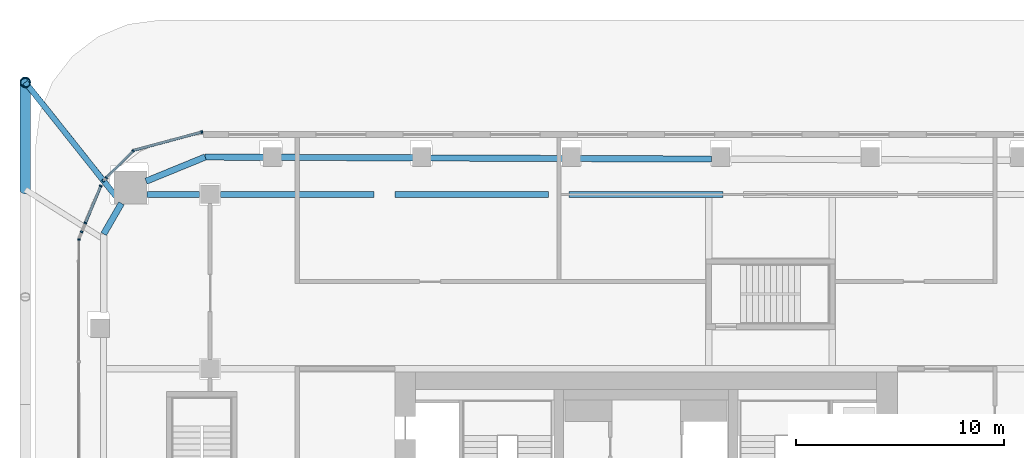
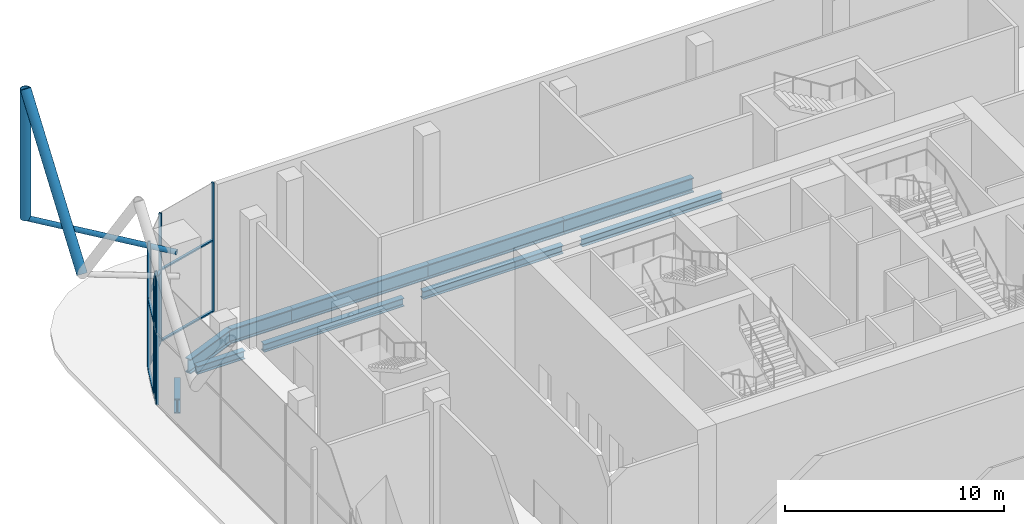
# One storey, part 10 of 34: 17 members, 10 beams, 7 elements without a shape of their own.
"""IFC4 building model written with IfcOpenShell, lengths in metres."""

from ifc_helpers import new_model, si_unit, direction, frame, origin, origin_2d, place, context, subcontext, project, spatial, rectangle, hollow_circle, i_section, extrude, material, layer, layer_set, material_profile, profile_set, type_object, element, aggregate, save


model = new_model("IFC4")

# Units and contexts
model_context = context("Model", 3, precision=1e-05, world=origin(), true_north=direction((0.0, 1.0)))
body_context = subcontext(model_context, "Body", "Model", "MODEL_VIEW")
ifc_project = project(units=[si_unit("LENGTHUNIT", "METRE"), si_unit("AREAUNIT", "SQUARE_METRE"), si_unit("VOLUMEUNIT", "CUBIC_METRE"), si_unit("PLANEANGLEUNIT", "RADIAN"), si_unit("MASSUNIT", "GRAM", prefix="KILO")], contexts=[model_context])

# Site, building, storey
site_placement = place(None, origin())
site = spatial("IfcSite", under=ifc_project, at=site_placement, CompositionType="ELEMENT")
building_placement = place(site_placement, origin())
building = spatial("IfcBuilding", under=site, at=building_placement, Name="Marenta Gate Hotel Tower", CompositionType="ELEMENT")
storey_placement = place(building_placement, frame((0.0, 0.0, 97.699951171875)))
storey = spatial("IfcBuildingStorey", under=building, at=storey_placement, Name="L21", CompositionType="ELEMENT", Elevation=97.699951171875)

# Members
ifc_material_1 = material(Name="Steel S355J2W", Category="steel")
ifc_material_profile_1 = material_profile(ifc_material_1, hollow_circle(Radius=0.25390625, WallThickness=0.02490234375, at=origin_2d()), Name="CHS 508x25")
ifc_profile_set_1 = profile_set([ifc_material_profile_1], Name="Steel S355J2W")
member_type_1 = type_object("IfcMemberType", Name="Diagrid corner post Z2 CHS 508x25", PredefinedType="POST", material=ifc_profile_set_1)
member_1_placement = place(storey_placement, frame((-29.89990234375, 30.60009765625, 6.739990234375), z_axis=(0.0, 0.0, 1.0), x_axis=(1.0, 0.0, 0.0)))
element("IfcMember", 1, at=member_1_placement, inside=storey, type_object=member_type_1, Name="L21-DR-6", PredefinedType="POST", context=body_context, shape_type="SweptSolid", body=[
    extrude(hollow_circle(Radius=0.25390625, WallThickness=0.02490234375, at=origin_2d()), origin(), (0.0, 0.0, 1.0), 7.199951171875),
])
ifc_material_2 = material(Name="Steel S355J2W", Category="steel")
ifc_material_profile_2 = material_profile(ifc_material_2, hollow_circle(Radius=0.25390625, WallThickness=0.0400390625, at=origin_2d()), Name="CHS 508x40")
ifc_profile_set_2 = profile_set([ifc_material_profile_2], Name="Steel S355J2W")
member_type_2 = type_object("IfcMemberType", Name="Diagrid diagonal Z2 CHS 508x40", PredefinedType="BRACE", material=ifc_profile_set_2)
member_2_placement = place(storey_placement, frame((-29.89990234375, 25.429931640625, 6.739990234375), z_axis=(0.0, 0.583279014058, 0.812271870595), x_axis=(-1.0, 0.0, 0.0)))
element("IfcMember", 2, at=member_2_placement, inside=storey, type_object=member_type_2, Name="L21-DG-34", PredefinedType="BRACE", context=body_context, shape_type="SweptSolid", body=[
    extrude(hollow_circle(Radius=0.25390625, WallThickness=0.0400390625, at=origin_2d()), origin(), (0.0, 0.0, 1.0), 8.864013671875),
])

# Beams
ifc_material_3 = material(Name="Steel S355", Category="steel")
ifc_material_profile_3 = material_profile(ifc_material_3, i_section(OverallWidth=0.302978515625, OverallDepth=0.81396484375, WebThickness=0.030029296875, FlangeThickness=0.052001953125, FilletRadius=0.030029296875, at=origin_2d()), Name="HEM 800")
ifc_profile_set_3 = profile_set([ifc_material_profile_3], Name="Steel S355")
beam_type_1 = type_object("IfcBeamType", Name="Edge beam HEM 800", PredefinedType="SPANDREL", material=ifc_profile_set_3)
beam_1_placement = place(storey_placement, frame((-26.121337890625, 23.291748046875, -0.6669921875), z_axis=(0.500015459501, 0.866016478054, 0.0), x_axis=(-0.866016478054, 0.500015459501, 0.0)))
element("IfcBeam", 3, at=beam_1_placement, inside=storey, type_object=beam_type_1, Name="L21-EB-10", PredefinedType="SPANDREL", context=body_context, shape_type="SweptSolid", body=[
    extrude(i_section(OverallWidth=0.302978515625, OverallDepth=0.81396484375, WebThickness=0.030029296875, FlangeThickness=0.052001953125, FilletRadius=0.030029296875, at=origin_2d()), origin(), (0.0, 0.0, 1.0), 1.70703125),
])
beam_2_placement = place(storey_placement, frame((-24.080810546875, 25.835693359375, -0.6669921875), z_axis=(0.925563394594, 0.378592660504, 0.0), x_axis=(-0.378592660504, 0.925563394594, 0.0)))
element("IfcBeam", 4, at=beam_2_placement, inside=storey, type_object=beam_type_1, Name="L21-EB-11", PredefinedType="SPANDREL", context=body_context, shape_type="SweptSolid", body=[
    extrude(i_section(OverallWidth=0.302978515625, OverallDepth=0.81396484375, WebThickness=0.030029296875, FlangeThickness=0.052001953125, FilletRadius=0.030029296875, at=origin_2d()), origin(), (0.0, 0.0, 1.0), 3.075439453125),
])
beam_3_placement = place(storey_placement, frame((-21.234375, 27.0, -0.6669921875), z_axis=(0.999991555325, -0.004109656695, 0.0), x_axis=(0.004109656695, 0.999991555325, 0.0)))
element("IfcBeam", 5, at=beam_3_placement, inside=storey, type_object=beam_type_1, Name="L21-EB-12", PredefinedType="SPANDREL", context=body_context, shape_type="SweptSolid", body=[
    extrude(i_section(OverallWidth=0.302978515625, OverallDepth=0.81396484375, WebThickness=0.030029296875, FlangeThickness=0.052001953125, FilletRadius=0.030029296875, at=origin_2d()), origin(), (0.0, 0.0, 1.0), 3.267333984375),
])
beam_4_placement = place(storey_placement, frame((-18.046875, 26.987060546875, -0.6669921875), z_axis=(0.999991636699, -0.004089808236, 0.0), x_axis=(0.004089808236, 0.999991636699, 0.0)))
element("IfcBeam", 6, at=beam_4_placement, inside=storey, type_object=beam_type_1, Name="L21-EB-13", PredefinedType="SPANDREL", context=body_context, shape_type="SweptSolid", body=[
    extrude(i_section(OverallWidth=0.302978515625, OverallDepth=0.81396484375, WebThickness=0.030029296875, FlangeThickness=0.052001953125, FilletRadius=0.030029296875, at=origin_2d()), origin(), (0.0, 0.0, 1.0), 7.28271484375),
])
beam_5_placement = place(storey_placement, frame((-10.84423828125, 26.957763671875, -0.6669921875), z_axis=(0.999991636139, -0.004089945342, 0.0), x_axis=(0.004089945342, 0.999991636139, 0.0)))
element("IfcBeam", 7, at=beam_5_placement, inside=storey, type_object=beam_type_1, Name="L21-EB-14", PredefinedType="SPANDREL", context=body_context, shape_type="SweptSolid", body=[
    extrude(i_section(OverallWidth=0.302978515625, OverallDepth=0.81396484375, WebThickness=0.030029296875, FlangeThickness=0.052001953125, FilletRadius=0.030029296875, at=origin_2d()), origin(), (0.0, 0.0, 1.0), 7.282470703125),
])
beam_6_placement = place(storey_placement, frame((-3.6416015625, 26.92822265625, -0.6669921875), z_axis=(0.999991766875, -0.004057854335, 0.0), x_axis=(0.004057854335, 0.999991766875, 0.0)))
element("IfcBeam", 8, at=beam_6_placement, inside=storey, type_object=beam_type_1, Name="L21-EB-15", PredefinedType="SPANDREL", context=body_context, shape_type="SweptSolid", body=[
    extrude(i_section(OverallWidth=0.302978515625, OverallDepth=0.81396484375, WebThickness=0.030029296875, FlangeThickness=0.052001953125, FilletRadius=0.030029296875, at=origin_2d()), origin(), (0.0, 0.0, 1.0), 6.798583984375),
])

# Member
ifc_material_4 = material(Name="Steel S355J2W", Category="steel")
ifc_material_profile_4 = material_profile(ifc_material_4, hollow_circle(Radius=0.136474609375, WallThickness=0.012451171875, at=origin_2d()), Name="CHS 273x12.5")
ifc_profile_set_4 = profile_set([ifc_material_profile_4], Name="Steel S355J2W")
member_type_3 = type_object("IfcMemberType", Name="Floor tie CHS 273x12.5", PredefinedType="STRUT", material=ifc_profile_set_4)
member_3_placement = place(storey_placement, frame((-29.89990234375, 30.60009765625, 6.739990234375), z_axis=(0.622094046149, -0.782942525187, 0.0), x_axis=(0.782942525187, 0.622094046149, 0.0)))
element("IfcMember", 9, at=member_3_placement, inside=storey, type_object=member_type_3, Name="L21-DR-22", PredefinedType="STRUT", context=body_context, shape_type="SweptSolid", body=[
    extrude(hollow_circle(Radius=0.136474609375, WallThickness=0.012451171875, at=origin_2d()), origin(), (0.0, 0.0, 1.0), 7.43896484375),
])

# Beams
ifc_material_5 = material(Name="Steel S355", Category="steel")
ifc_material_profile_5 = material_profile(ifc_material_5, i_section(OverallWidth=0.300048828125, OverallDepth=0.449951171875, WebThickness=0.013916015625, FlangeThickness=0.02587890625, FilletRadius=0.027099609375, at=origin_2d()), Name="HEB 450")
ifc_profile_set_5 = profile_set([ifc_material_profile_5], Name="Steel S355")
beam_type_2 = type_object("IfcBeamType", Name="Girder HEB 450", PredefinedType="BEAM", material=ifc_profile_set_5)
beam_7_placement = place(storey_placement, frame((-24.035400390625, 25.199951171875, -0.48486328125), z_axis=(1.0, 0.0, 0.0), x_axis=(0.0, 1.0, 0.0)))
element("IfcBeam", 10, at=beam_7_placement, inside=storey, type_object=beam_type_2, Name="L21-GD-32", PredefinedType="BEAM", context=body_context, shape_type="SweptSolid", body=[
    extrude(i_section(OverallWidth=0.300048828125, OverallDepth=0.449951171875, WebThickness=0.013916015625, FlangeThickness=0.02587890625, FilletRadius=0.027099609375, at=origin_2d()), origin(), (0.0, 0.0, 1.0), 2.535400390625),
])
beam_8_placement = place(storey_placement, frame((-20.5, 25.199951171875, -0.48486328125), z_axis=(1.0, 0.0, 0.0), x_axis=(0.0, 1.0, 0.0)))
element("IfcBeam", 11, at=beam_8_placement, inside=storey, type_object=beam_type_2, Name="L21-GD-33", PredefinedType="BEAM", context=body_context, shape_type="SweptSolid", body=[
    extrude(i_section(OverallWidth=0.300048828125, OverallDepth=0.449951171875, WebThickness=0.013916015625, FlangeThickness=0.02587890625, FilletRadius=0.027099609375, at=origin_2d()), origin(), (0.0, 0.0, 1.0), 7.39990234375),
])
beam_9_placement = place(storey_placement, frame((-12.10009765625, 25.199951171875, -0.48486328125), z_axis=(1.0, 0.0, 0.0), x_axis=(0.0, 1.0, 0.0)))
element("IfcBeam", 12, at=beam_9_placement, inside=storey, type_object=beam_type_2, Name="L21-GD-34", PredefinedType="BEAM", context=body_context, shape_type="SweptSolid", body=[
    extrude(i_section(OverallWidth=0.300048828125, OverallDepth=0.449951171875, WebThickness=0.013916015625, FlangeThickness=0.02587890625, FilletRadius=0.027099609375, at=origin_2d()), origin(), (0.0, 0.0, 1.0), 7.400146484375),
])
beam_10_placement = place(storey_placement, frame((-3.699951171875, 25.199951171875, -0.48486328125), z_axis=(1.0, 0.0, 0.0), x_axis=(0.0, 1.0, 0.0)))
element("IfcBeam", 13, at=beam_10_placement, inside=storey, type_object=beam_type_2, Name="L21-GD-35", PredefinedType="BEAM", context=body_context, shape_type="SweptSolid", body=[
    extrude(i_section(OverallWidth=0.300048828125, OverallDepth=0.449951171875, WebThickness=0.013916015625, FlangeThickness=0.02587890625, FilletRadius=0.027099609375, at=origin_2d()), origin(), (0.0, 0.0, 1.0), 7.39990234375),
])

# Curtain wall, member
ifc_material_6 = material(Name="Tinted insulated glass in bronze anodised frame", Category="glass")
ifc_layer = layer(ifc_material_6, 0.1298828125)
ifc_layer_set = layer_set([ifc_layer], Name="Tinted insulated glass in bronze anodised frame")
curtain_wall_type = type_object("IfcCurtainWallType", Name="Sky lobby glazing CW2", PredefinedType="NOTDEFINED", material=ifc_layer_set)
curtain_wall_1_placement = place(storey_placement, origin())
curtain_wall_1 = element("IfcCurtainWall", 14, at=curtain_wall_1_placement, inside=storey, type_object=curtain_wall_type, Name="CW2 run G00", PredefinedType="NOTDEFINED")
ifc_material_7 = material(Name="Bronze anodised aluminium", Category="aluminium")
ifc_material_profile_6 = material_profile(ifc_material_7, rectangle(XDim=0.1298828125, YDim=0.080078125, at=origin_2d()), Name="Mullion CW2 80x130 bronze anodised aluminium")
ifc_profile_set_6 = profile_set([ifc_material_profile_6], Name="Bronze anodised aluminium")
member_type_4 = type_object("IfcMemberType", Name="Mullion CW2 80x130 bronze anodised aluminium", PredefinedType="MULLION", material=ifc_profile_set_6)
member_4_placement = place(storey_placement, frame((-21.396484375, 28.20556640625, 0.0), z_axis=(0.0, 0.0, 1.0), x_axis=(0.258788087565, -0.965934120805, 0.0)))
member_4 = element("IfcMember", 15, at=member_4_placement, type_object=member_type_4, Name="CW2 mullion 1", PredefinedType="MULLION", context=body_context, shape_type="SweptSolid", body=[
    extrude(rectangle(XDim=0.1298828125, YDim=0.080078125, at=origin_2d()), origin(), (0.0, 0.0, 1.0), 7.199951171875),
])

curtain_wall_2_placement = place(storey_placement, origin())
curtain_wall_2 = element("IfcCurtainWall", 16, at=curtain_wall_2_placement, inside=storey, type_object=curtain_wall_type, Name="CW2 run G01", PredefinedType="NOTDEFINED")
member_5_placement = place(storey_placement, frame((-24.697509765625, 27.30029296875, 0.0), z_axis=(0.0, 0.0, 1.0), x_axis=(0.707106781187, -0.707106781187, 0.0)))
member_5 = element("IfcMember", 17, at=member_5_placement, type_object=member_type_4, Name="CW2 mullion 1", PredefinedType="MULLION", context=body_context, shape_type="SweptSolid", body=[
    extrude(rectangle(XDim=0.1298828125, YDim=0.080078125, at=origin_2d()), origin(), (0.0, 0.0, 1.0), 7.199951171875),
])

# Curtain wall, members
curtain_wall_3_placement = place(storey_placement, origin())
curtain_wall_3 = element("IfcCurtainWall", 18, at=curtain_wall_3_placement, inside=storey, type_object=curtain_wall_type, Name="CW2 run G02", PredefinedType="NOTDEFINED")
member_6_placement = place(storey_placement, frame((-26.002685546875, 25.9951171875, 0.0), z_axis=(0.0, 0.0, 1.0), x_axis=(0.707106781187, -0.707106781187, 0.0)))
member_6 = element("IfcMember", 19, at=member_6_placement, type_object=member_type_4, Name="CW2 mullion 1", PredefinedType="MULLION", context=body_context, shape_type="SweptSolid", body=[
    extrude(rectangle(XDim=0.1298828125, YDim=0.080078125, at=origin_2d()), origin(), (0.0, 0.0, 1.0), 6.6005859375),
])
member_7_placement = place(storey_placement, frame((-26.1484375, 25.849609375, 0.0), z_axis=(0.0, 0.0, 1.0), x_axis=(0.707106781187, -0.707106781187, 0.0)))
member_7 = element("IfcMember", 20, at=member_7_placement, type_object=member_type_4, Name="CW2 mullion 2", PredefinedType="MULLION", context=body_context, shape_type="SweptSolid", body=[
    extrude(rectangle(XDim=0.1298828125, YDim=0.080078125, at=origin_2d()), origin(), (0.0, 0.0, 1.0), 6.6005859375),
])
aggregate(curtain_wall_3, [member_6, member_7])

# Curtain wall, member
curtain_wall_4_placement = place(storey_placement, origin())
curtain_wall_4 = element("IfcCurtainWall", 21, at=curtain_wall_4_placement, inside=storey, type_object=curtain_wall_type, Name="CW2 run G03", PredefinedType="NOTDEFINED")
member_8_placement = place(storey_placement, frame((-26.265869140625, 25.60595703125, 0.0), z_axis=(0.0, 0.0, 1.0), x_axis=(0.923883684257, -0.382673409011, 0.0)))
member_8 = element("IfcMember", 22, at=member_8_placement, type_object=member_type_4, Name="CW2 mullion 1", PredefinedType="MULLION", context=body_context, shape_type="SweptSolid", body=[
    extrude(rectangle(XDim=0.1298828125, YDim=0.080078125, at=origin_2d()), origin(), (0.0, 0.0, 1.0), 7.199951171875),
])

curtain_wall_5_placement = place(storey_placement, origin())
curtain_wall_5 = element("IfcCurtainWall", 23, at=curtain_wall_5_placement, inside=storey, type_object=curtain_wall_type, Name="CW2 run G04", PredefinedType="NOTDEFINED")
member_9_placement = place(storey_placement, frame((-27.0048828125, 23.821533203125, 0.0), z_axis=(0.0, 0.0, 1.0), x_axis=(0.923892222433, -0.382652794746, 0.0)))
member_9 = element("IfcMember", 24, at=member_9_placement, type_object=member_type_4, Name="CW2 mullion 1", PredefinedType="MULLION", context=body_context, shape_type="SweptSolid", body=[
    extrude(rectangle(XDim=0.1298828125, YDim=0.080078125, at=origin_2d()), origin(), (0.0, 0.0, 1.0), 6.6005859375),
])
aggregate(curtain_wall_5, [member_9])

curtain_wall_6_placement = place(storey_placement, origin())
curtain_wall_6 = element("IfcCurtainWall", 25, at=curtain_wall_6_placement, inside=storey, type_object=curtain_wall_type, Name="CW2 run G05", PredefinedType="NOTDEFINED")
member_10_placement = place(storey_placement, frame((-27.180908203125, 23.396728515625, 0.0), z_axis=(0.0, 0.0, 1.0), x_axis=(0.923887794739, -0.382663484973, 0.0)))
member_10 = element("IfcMember", 26, at=member_10_placement, type_object=member_type_4, Name="CW2 mullion 1", PredefinedType="MULLION", context=body_context, shape_type="SweptSolid", body=[
    extrude(rectangle(XDim=0.1298828125, YDim=0.080078125, at=origin_2d()), origin(), (0.0, 0.0, 1.0), 7.199951171875),
])
aggregate(curtain_wall_6, [member_10])

curtain_wall_7_placement = place(storey_placement, origin())
curtain_wall_7 = element("IfcCurtainWall", 27, at=curtain_wall_7_placement, inside=storey, type_object=curtain_wall_type, Name="CW2 run G06", PredefinedType="NOTDEFINED")
member_11_placement = place(storey_placement, frame((-27.3173828125, 23.027099609375, 0.0), z_axis=(0.0, 0.0, 1.0), x_axis=(0.999998768273, -0.001569538853, 0.0)))
member_11 = element("IfcMember", 28, at=member_11_placement, type_object=member_type_4, Name="CW2 mullion 1", PredefinedType="MULLION", context=body_context, shape_type="SweptSolid", body=[
    extrude(rectangle(XDim=0.1298828125, YDim=0.080078125, at=origin_2d()), origin(), (0.0, 0.0, 1.0), 7.199951171875),
])
aggregate(curtain_wall_7, [member_11])

# Member
ifc_material_8 = material(Name="Bronze anodised aluminium", Category="aluminium")
ifc_material_profile_7 = material_profile(ifc_material_8, rectangle(XDim=0.1298828125, YDim=0.080078125, at=origin_2d()), Name="Transom CW2 80x130 bronze anodised aluminium")
ifc_profile_set_7 = profile_set([ifc_material_profile_7], Name="Bronze anodised aluminium")
member_type_5 = type_object("IfcMemberType", Name="Transom CW2 80x130 bronze anodised aluminium", PredefinedType="USERDEFINED", material=ifc_profile_set_7)
member_12_placement = place(storey_placement, frame((-21.43505859375, 28.195068359375, 0.0400390625), z_axis=(-0.965935358697, -0.25878346705, 0.0), x_axis=(0.25878346705, -0.965935358697, 0.0)))
member_12 = element("IfcMember", 29, at=member_12_placement, type_object=member_type_5, Name="CW2 transom 1.1", ObjectType="TRANSOM", PredefinedType="USERDEFINED", context=body_context, shape_type="SweptSolid", body=[
    extrude(rectangle(XDim=0.1298828125, YDim=0.080078125, at=origin_2d()), origin(), (0.0, 0.0, 1.0), 3.34814453125),
])

member_13_placement = place(storey_placement, frame((-21.43505859375, 28.195068359375, 4.0), z_axis=(-0.965935358697, -0.25878346705, 0.0), x_axis=(0.25878346705, -0.965935358697, 0.0)))
member_13 = element("IfcMember", 30, at=member_13_placement, type_object=member_type_5, Name="CW2 transom 1.2", ObjectType="TRANSOM", PredefinedType="USERDEFINED", context=body_context, shape_type="SweptSolid", body=[
    extrude(rectangle(XDim=0.1298828125, YDim=0.080078125, at=origin_2d()), origin(), (0.0, 0.0, 1.0), 3.34814453125),
])

aggregate(curtain_wall_1, [member_4, member_12, member_13])

member_14_placement = place(storey_placement, frame((-24.725830078125, 27.27197265625, 0.0400390625), z_axis=(-0.707106781187, -0.707106781187, 0.0), x_axis=(0.707106781187, -0.707106781187, 0.0)))
member_14 = element("IfcMember", 31, at=member_14_placement, type_object=member_type_5, Name="CW2 transom 1.1", ObjectType="TRANSOM", PredefinedType="USERDEFINED", context=body_context, shape_type="SweptSolid", body=[
    extrude(rectangle(XDim=0.1298828125, YDim=0.080078125, at=origin_2d()), origin(), (0.0, 0.0, 1.0), 1.765625),
])

member_15_placement = place(storey_placement, frame((-24.725830078125, 27.27197265625, 4.0), z_axis=(-0.707106781187, -0.707106781187, 0.0), x_axis=(0.707106781187, -0.707106781187, 0.0)))
member_15 = element("IfcMember", 32, at=member_15_placement, type_object=member_type_5, Name="CW2 transom 1.2", ObjectType="TRANSOM", PredefinedType="USERDEFINED", context=body_context, shape_type="SweptSolid", body=[
    extrude(rectangle(XDim=0.1298828125, YDim=0.080078125, at=origin_2d()), origin(), (0.0, 0.0, 1.0), 1.765625),
])

aggregate(curtain_wall_2, [member_5, member_14, member_15])

member_16_placement = place(storey_placement, frame((-26.281005859375, 25.56884765625, 0.0400390625), z_axis=(-0.382685658983, -0.923878610213, 0.0), x_axis=(0.923878610213, -0.382685658983, 0.0)))
member_16 = element("IfcMember", 33, at=member_16_placement, type_object=member_type_5, Name="CW2 transom 1.1", ObjectType="TRANSOM", PredefinedType="USERDEFINED", context=body_context, shape_type="SweptSolid", body=[
    extrude(rectangle(XDim=0.1298828125, YDim=0.080078125, at=origin_2d()), origin(), (0.0, 0.0, 1.0), 1.851318359375),
])

member_17_placement = place(storey_placement, frame((-26.281005859375, 25.56884765625, 4.0), z_axis=(-0.382685658983, -0.923878610213, 0.0), x_axis=(0.923878610213, -0.382685658983, 0.0)))
member_17 = element("IfcMember", 34, at=member_17_placement, type_object=member_type_5, Name="CW2 transom 1.2", ObjectType="TRANSOM", PredefinedType="USERDEFINED", context=body_context, shape_type="SweptSolid", body=[
    extrude(rectangle(XDim=0.1298828125, YDim=0.080078125, at=origin_2d()), origin(), (0.0, 0.0, 1.0), 1.851318359375),
])

aggregate(curtain_wall_4, [member_8, member_16, member_17])

save(model, "model.ifc")
